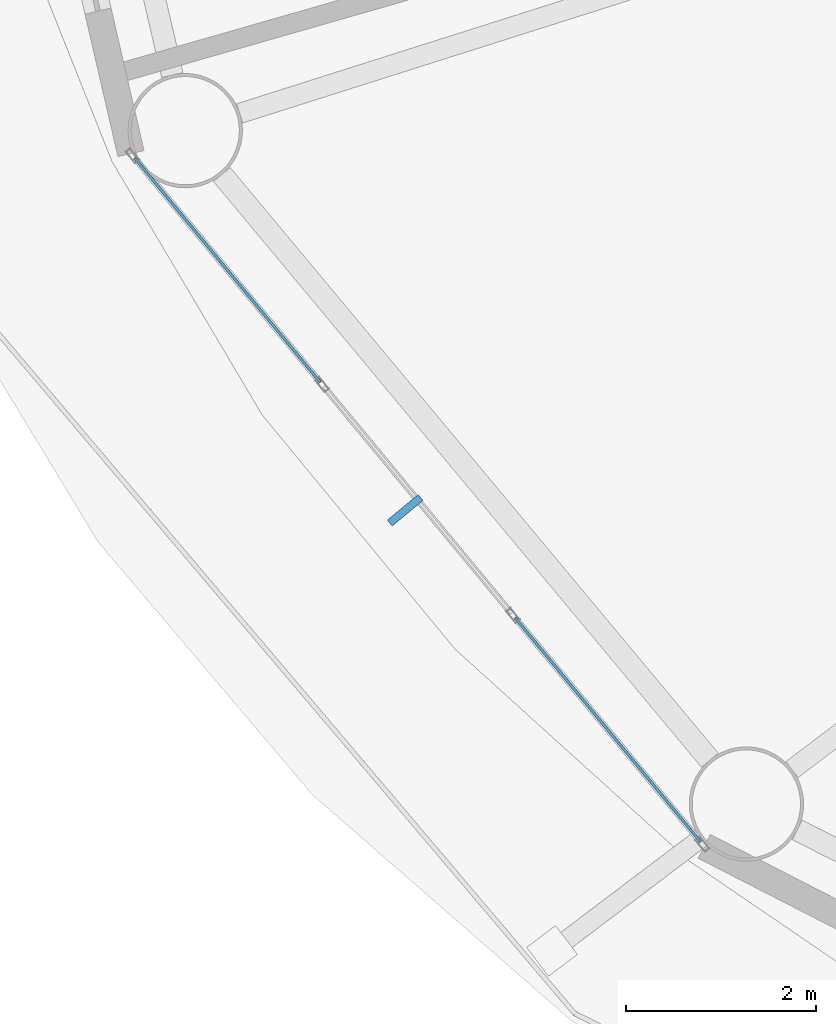
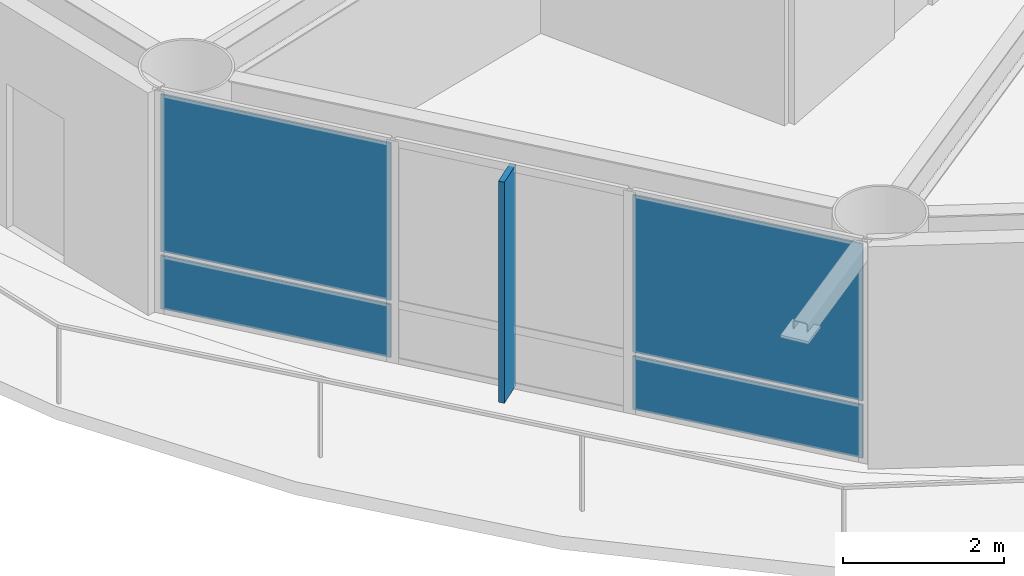
# One storey, part 14 of 24: 5 plates, 1 element without a shape of its own.
"""IFC4 building model written with IfcOpenShell, lengths in metres."""

from ifc_helpers import new_model, si_unit, direction, frame, origin, origin_2d, place, context, subcontext, project, spatial, rectangle, extrude, material, layer, layer_set, type_object, element, aggregate, save


model = new_model("IFC4")

# Units and contexts
model_context = context("Model", 3, precision=1e-05, world=origin(), true_north=direction((0.0, 1.0)))
body_context = subcontext(model_context, "Body", "Model", "MODEL_VIEW")
ifc_project = project(units=[si_unit("LENGTHUNIT", "METRE"), si_unit("AREAUNIT", "SQUARE_METRE"), si_unit("VOLUMEUNIT", "CUBIC_METRE"), si_unit("PLANEANGLEUNIT", "RADIAN"), si_unit("MASSUNIT", "GRAM", prefix="KILO")], contexts=[model_context])

# Site, building, storey
site_placement = place(None, origin())
site = spatial("IfcSite", under=ifc_project, at=site_placement, CompositionType="ELEMENT")
building_placement = place(site_placement, origin())
building = spatial("IfcBuilding", under=site, at=building_placement, Name="Sarneth Arch Tower", CompositionType="ELEMENT")
storey_placement = place(building_placement, frame((0.0, 0.0, 102.0)))
storey = spatial("IfcBuildingStorey", under=building, at=storey_placement, Name="L25", CompositionType="ELEMENT", Elevation=102.0)

# Curtain wall, plates
ifc_material_1 = material(Name="Anodised aluminium Type AA25 and solar-control low-e laminated IGU", Category="aluminium")
ifc_layer_1 = layer(ifc_material_1, 0.159912109375)
ifc_layer_set_1 = layer_set([ifc_layer_1], Name="Anodised aluminium Type AA25 and solar-control low-e laminated IGU")
curtain_wall_type = type_object("IfcCurtainWallType", Name="CW-HOTEL-MID", PredefinedType="NOTDEFINED", material=ifc_layer_set_1)
curtain_wall_placement = place(storey_placement, origin())
curtain_wall = element("IfcCurtainWall", 1, at=curtain_wall_placement, inside=storey, type_object=curtain_wall_type, Name="L25 Unitised curtain wall facet 10", PredefinedType="NOTDEFINED")
ifc_material_2 = material(Name="Solar-control low-e laminated IGU", Category="glass")
ifc_layer_2 = layer(ifc_material_2, 0.028076171875)
ifc_layer_set_2 = layer_set([ifc_layer_2], Name="Solar-control low-e laminated IGU")
plate_type_1 = type_object("IfcPlateType", Name="CW-PANEL", PredefinedType="CURTAIN_PANEL", material=ifc_layer_set_2)
plate_1_placement = place(storey_placement, frame((22.15185546875, 32.192138671875, 0.06005859375), z_axis=(0.0, 0.0, 1.0), x_axis=(0.637515188684, -0.770437787363, 0.0)))
plate_1 = element("IfcPlate", 2, at=plate_1_placement, type_object=plate_type_1, Name="Curtain wall glazed vision pane CW-L25-F10/P00-00", PredefinedType="CURTAIN_PANEL", context=body_context, shape_type="SweptSolid", body=[
    extrude(rectangle(XDim=3.058349609375, YDim=0.028076171875, at=origin_2d()), origin(), (0.0, 0.0, 1.0), 0.81005859375),
])
plate_2_placement = place(storey_placement, frame((22.15185546875, 32.192138671875, 0.93017578125), z_axis=(0.0, 0.0, 1.0), x_axis=(0.637515188684, -0.770437787363, 0.0)))
plate_2 = element("IfcPlate", 3, at=plate_2_placement, type_object=plate_type_1, Name="Curtain wall glazed vision pane CW-L25-F10/P00-01", PredefinedType="CURTAIN_PANEL", context=body_context, shape_type="SweptSolid", body=[
    extrude(rectangle(XDim=3.058349609375, YDim=0.028076171875, at=origin_2d()), origin(), (0.0, 0.0, 1.0), 2.389892578125),
])
plate_3_placement = place(storey_placement, frame((26.14697265625, 27.364013671875, 0.06005859375), z_axis=(0.0, 0.0, 1.0), x_axis=(0.637515188684, -0.770437787363, 0.0)))
plate_3 = element("IfcPlate", 4, at=plate_3_placement, type_object=plate_type_1, Name="Curtain wall glazed vision pane CW-L25-F10/P02-00", PredefinedType="CURTAIN_PANEL", context=body_context, shape_type="SweptSolid", body=[
    extrude(rectangle(XDim=3.058349609375, YDim=0.028076171875, at=origin_2d()), origin(), (0.0, 0.0, 1.0), 0.81005859375),
])
plate_4_placement = place(storey_placement, frame((26.14697265625, 27.364013671875, 0.93017578125), z_axis=(0.0, 0.0, 1.0), x_axis=(0.637515188684, -0.770437787363, 0.0)))
plate_4 = element("IfcPlate", 5, at=plate_4_placement, type_object=plate_type_1, Name="Curtain wall glazed vision pane CW-L25-F10/P02-01", PredefinedType="CURTAIN_PANEL", context=body_context, shape_type="SweptSolid", body=[
    extrude(rectangle(XDim=3.058349609375, YDim=0.028076171875, at=origin_2d()), origin(), (0.0, 0.0, 1.0), 2.389892578125),
])
aggregate(curtain_wall, [plate_1, plate_2, plate_3, plate_4])

# Plate
ifc_material_3 = material(Name="Extruded glazed terracotta baguette fin on Aluminium 6063-T6 carrier", Category="masonry")
ifc_layer_3 = layer(ifc_material_3, 0.080078125)
ifc_layer_set_3 = layer_set([ifc_layer_3], Name="Extruded glazed terracotta baguette fin on Aluminium 6063-T6 carrier")
plate_type_2 = type_object("IfcPlateType", Name="SHADE-TERRA-FIN", PredefinedType="SHEET", material=ifc_layer_set_3)
plate_5_placement = place(storey_placement, frame((24.018310546875, 29.669677734375, 0.009765625), z_axis=(0.0, 0.0, 1.0), x_axis=(-0.770401979567, -0.63755845997, 0.0)))
element("IfcPlate", 6, at=plate_5_placement, inside=storey, type_object=plate_type_2, Name="L25 Terracotta vertical shading fin 10", PredefinedType="SHEET", context=body_context, shape_type="SweptSolid", body=[
    extrude(rectangle(XDim=0.419921875, YDim=0.080078125, at=origin_2d()), origin(), (0.0, 0.0, 1.0), 3.360107421875),
])

save(model, "model.ifc")
